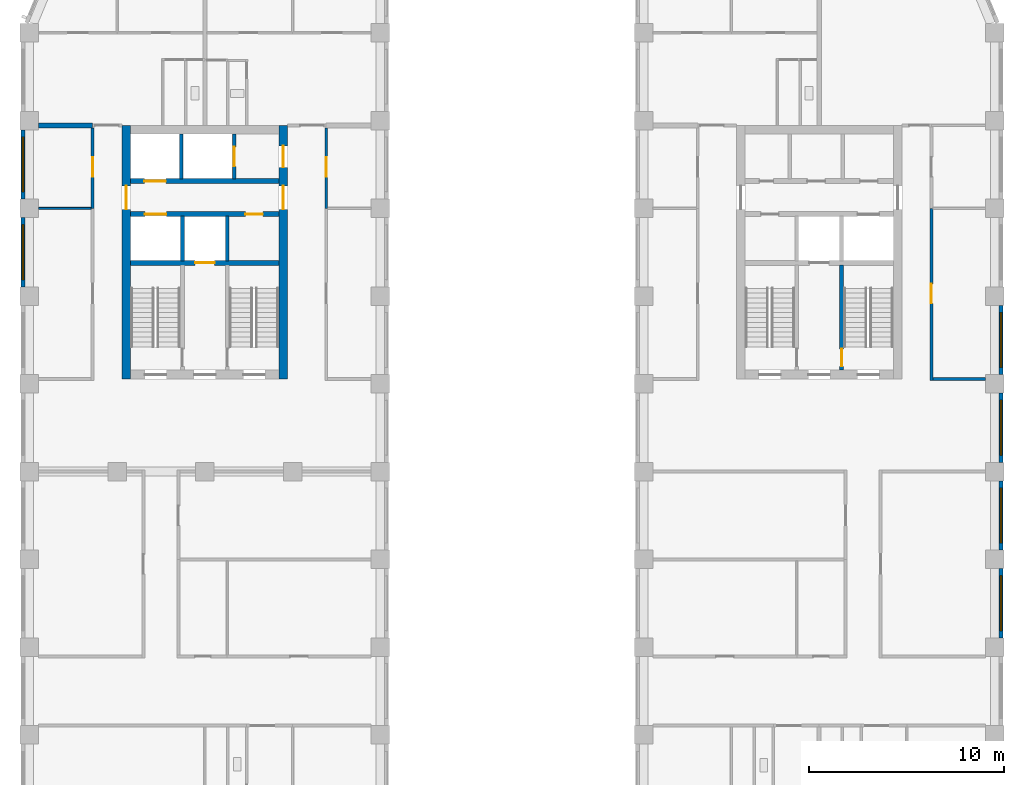
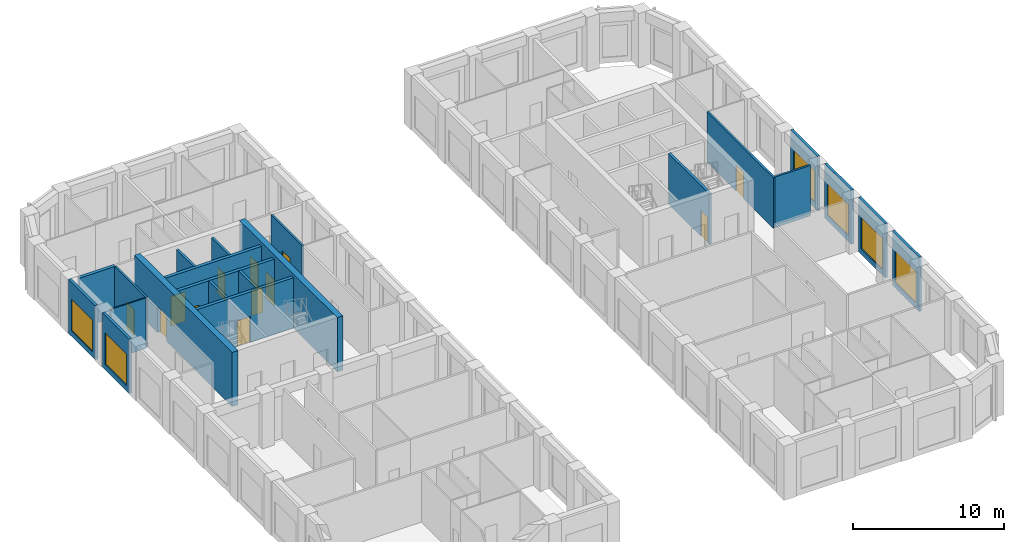
# One storey, part 6 of 13: 22 walls, 12 doors, 6 windows, 18 openings.
"""IFC4 building model written with IfcOpenShell, lengths in metres."""

from ifc_helpers import new_model, si_unit, direction, frame, frame_2d, origin, place, context, subcontext, project, spatial, rectangle, extrude, material, layer, layer_set, type_object, element, fill, save


model = new_model("IFC4")

# Units and contexts
model_context = context("Model", 3, precision=1e-05, world=origin(), true_north=direction((0.0, 1.0)))
body_context = subcontext(model_context, "Body", "Model", "MODEL_VIEW")
ifc_project = project(units=[si_unit("LENGTHUNIT", "METRE"), si_unit("AREAUNIT", "SQUARE_METRE"), si_unit("VOLUMEUNIT", "CUBIC_METRE"), si_unit("PLANEANGLEUNIT", "RADIAN"), si_unit("MASSUNIT", "GRAM", prefix="KILO")], contexts=[model_context])

# Site, building, storey
site_placement = place(None, origin())
site = spatial("IfcSite", under=ifc_project, at=site_placement, CompositionType="ELEMENT")
building_placement = place(site_placement, origin())
building = spatial("IfcBuilding", under=site, at=building_placement, Name="Girih Gate Residences", CompositionType="ELEMENT")
storey_placement = place(building_placement, frame((0.0, 0.0, 159.39990234375)))
storey = spatial("IfcBuildingStorey", under=building, at=storey_placement, Name="L44", CompositionType="ELEMENT", Elevation=159.39990234375)

# Wall
ifc_material_1 = material(Name="Gypsum board on steel studs", Category="steel")
ifc_layer_1 = layer(ifc_material_1, 0.25)
ifc_layer_set_1 = layer_set([ifc_layer_1], Name="Acoustic separating wall 250 mm")
wall_type_1 = type_object("IfcWallType", Name="Acoustic separating wall 250 mm", PredefinedType="PARTITIONING", material=ifc_layer_set_1)
wall_1_placement = place(storey_placement, frame((0.47509765625, 40.25, 0.0), z_axis=(0.0, 0.0, 1.0), x_axis=(1.0, 0.0, 0.0)))
element("IfcWall", 1, at=wall_1_placement, inside=storey, type_object=wall_type_1, Name="L44 partition", PredefinedType="PARTITIONING", context=body_context, shape_type="SweptSolid", body=[
    extrude(rectangle(XDim=2.77490234375, YDim=0.25, at=frame_2d((1.387451171875, 0.0))), origin(), (0.0, 0.0, 1.0), 4.10009765625),
])

# Wall, opening, door
ifc_layer_2 = layer(ifc_material_1, 0.14990234375)
ifc_layer_set_2 = layer_set([ifc_layer_2], Name="Compartment wall 150 mm")
wall_type_2 = type_object("IfcWallType", Name="Compartment wall 150 mm", PredefinedType="PARTITIONING", material=ifc_layer_set_2)
wall_2_placement = place(storey_placement, frame((46.25, 36.0, 0.0), z_axis=(0.0, 0.0, 1.0), x_axis=(0.0, -1.0, 0.0)))
wall_2 = element("IfcWall", 2, at=wall_2_placement, inside=storey, type_object=wall_type_2, Name="L44 partition", PredefinedType="PARTITIONING", context=body_context, shape_type="SweptSolid", body=[
    extrude(rectangle(XDim=8.824951171875, YDim=0.14990234375, at=frame_2d((4.41259765625, 0.0))), origin(), (0.0, 0.0, 1.0), 4.10009765625),
])
opening_1_placement = place(wall_2_placement, frame((3.875, 0.0, 0.0)))
opening_1 = element("IfcOpeningElement", 3, at=opening_1_placement, cuts=wall_2, Name="Opening A44-041", PredefinedType="OPENING", context=body_context, shape_type="SweptSolid", body=[
    extrude(rectangle(XDim=1.0, YDim=2.10009765625, at=frame_2d((0.5, 1.050048828125))), frame((0.0, 0.0849609375, 0.0), z_axis=(0.0, -1.0, 0.0), x_axis=(1.0, 0.0, 0.0)), (0.0, 0.0, 1.0), 0.169921875),
])
ifc_material_2 = material(Name="Timber, fire-rated core", Category="wood")
door_type_1 = type_object("IfcDoorType", Name="Amenity room door 1000x2100 FD30S", OperationType="NOTDEFINED", PredefinedType="DOOR", material=ifc_material_2)
door_1_placement = place(opening_1_placement, origin())
door_1 = element("IfcDoor", 4, at=door_1_placement, inside=storey, type_object=door_type_1, Name="Door A44-041", OperationType="SINGLE_SWING_LEFT", OverallHeight=2.10009765625, OverallWidth=1.0, PredefinedType="DOOR", context=body_context, shape_type="SweptSolid", body=[
    extrude(rectangle(XDim=1.0, YDim=2.10009765625, at=frame_2d((0.5, 1.050048828125))), frame((0.0, 0.02490234375, 0.0), z_axis=(0.0, -1.0, 0.0), x_axis=(1.0, 0.0, 0.0)), (0.0, 0.0, 1.0), 0.050048828125),
])
fill(opening_1, door_1)

# Wall
wall_3_placement = place(storey_placement, frame((46.324951171875, 27.25, 0.0), z_axis=(0.0, 0.0, 1.0), x_axis=(1.0, 0.0, 0.0)))
element("IfcWall", 5, at=wall_3_placement, inside=storey, type_object=wall_type_2, Name="L44 partition", PredefinedType="PARTITIONING", context=body_context, shape_type="SweptSolid", body=[
    extrude(rectangle(XDim=2.699951171875, YDim=0.14990234375, at=frame_2d((1.35009765625, 0.0))), origin(), (0.0, 0.0, 1.0), 4.10009765625),
])

# Wall, opening, door
wall_4_placement = place(storey_placement, frame((15.22509765625, 40.125, 0.0), z_axis=(0.0, 0.0, 1.0), x_axis=(0.0, -1.0, 0.0)))
wall_4 = element("IfcWall", 6, at=wall_4_placement, inside=storey, type_object=wall_type_2, Name="L44 partition", PredefinedType="PARTITIONING", context=body_context, shape_type="SweptSolid", body=[
    extrude(rectangle(XDim=4.125, YDim=0.14990234375, at=frame_2d((2.0625, 0.0))), origin(), (0.0, 0.0, 1.0), 4.10009765625),
])
opening_2_placement = place(wall_4_placement, frame((1.5, 0.0, 0.0)))
opening_2 = element("IfcOpeningElement", 7, at=opening_2_placement, cuts=wall_4, Name="Opening A44-044", PredefinedType="OPENING", context=body_context, shape_type="SweptSolid", body=[
    extrude(rectangle(XDim=1.0, YDim=2.10009765625, at=frame_2d((0.5, 1.050048828125))), frame((0.0, 0.0849609375, 0.0), z_axis=(0.0, -1.0, 0.0), x_axis=(1.0, 0.0, 0.0)), (0.0, 0.0, 1.0), 0.169921875),
])
door_2_placement = place(opening_2_placement, origin())
door_2 = element("IfcDoor", 8, at=door_2_placement, inside=storey, type_object=door_type_1, Name="Door A44-044", OperationType="SINGLE_SWING_LEFT", OverallHeight=2.10009765625, OverallWidth=1.0, PredefinedType="DOOR", context=body_context, shape_type="SweptSolid", body=[
    extrude(rectangle(XDim=1.0, YDim=2.10009765625, at=frame_2d((0.5, 1.050048828125))), frame((0.0, 0.02490234375, 0.0), z_axis=(0.0, -1.0, 0.0), x_axis=(1.0, 0.0, 0.0)), (0.0, 0.0, 1.0), 0.050048828125),
])
fill(opening_2, door_2)

wall_5_placement = place(storey_placement, frame((3.25, 36.0, 0.0), z_axis=(0.0, 0.0, 1.0), x_axis=(0.0, 1.0, 0.0)))
wall_5 = element("IfcWall", 9, at=wall_5_placement, inside=storey, type_object=wall_type_2, Name="L44 partition", PredefinedType="PARTITIONING", context=body_context, shape_type="SweptSolid", body=[
    extrude(rectangle(XDim=4.125, YDim=0.14990234375, at=frame_2d((2.0625, 0.0))), origin(), (0.0, 0.0, 1.0), 4.10009765625),
])
opening_3_placement = place(wall_5_placement, frame((1.625, 0.0, 0.0)))
opening_3 = element("IfcOpeningElement", 10, at=opening_3_placement, cuts=wall_5, Name="Opening A44-046", PredefinedType="OPENING", context=body_context, shape_type="SweptSolid", body=[
    extrude(rectangle(XDim=1.0, YDim=2.10009765625, at=frame_2d((0.5, 1.050048828125))), frame((0.0, 0.0849609375, 0.0), z_axis=(0.0, -1.0, 0.0), x_axis=(1.0, 0.0, 0.0)), (0.0, 0.0, 1.0), 0.169921875),
])
door_3_placement = place(opening_3_placement, origin())
door_3 = element("IfcDoor", 11, at=door_3_placement, inside=storey, type_object=door_type_1, Name="Door A44-046", OperationType="SINGLE_SWING_RIGHT", OverallHeight=2.10009765625, OverallWidth=1.0, PredefinedType="DOOR", context=body_context, shape_type="SweptSolid", body=[
    extrude(rectangle(XDim=1.0, YDim=2.10009765625, at=frame_2d((0.5, 1.050048828125))), frame((0.0, 0.02490234375, 0.0), z_axis=(0.0, -1.0, 0.0), x_axis=(1.0, 0.0, 0.0)), (0.0, 0.0, 1.0), 0.050048828125),
])
fill(opening_3, door_3)

ifc_material_3 = material(Name="Concrete C60/75", Category="concrete")
ifc_layer_3 = layer(ifc_material_3, 0.449951171875)
ifc_layer_set_3 = layer_set([ifc_layer_3], Name="Core wall RC 450 Concrete C60/75")
wall_type_3 = type_object("IfcWallType", Name="Core wall RC 450 Concrete C60/75", PredefinedType="SOLIDWALL", material=ifc_layer_set_3)
wall_6_placement = place(storey_placement, frame((4.97509765625, 27.25, 0.0), z_axis=(0.0, 0.0, 1.0), x_axis=(0.0, 1.0, 0.0)))
wall_6 = element("IfcWall", 12, at=wall_6_placement, inside=storey, type_object=wall_type_3, Name="Core wall W-W L44", PredefinedType="SOLIDWALL", context=body_context, shape_type="SweptSolid", body=[
    extrude(rectangle(XDim=13.0, YDim=0.449951171875, at=frame_2d((6.5, 0.0))), origin(), (0.0, 0.0, 1.0), 4.400146484375),
])
opening_4_placement = place(wall_6_placement, frame((8.699951171875, 0.0, 0.0)))
opening_4 = element("IfcOpeningElement", 13, at=opening_4_placement, cuts=wall_6, Name="Opening D-L44-W-012", PredefinedType="OPENING", context=body_context, shape_type="SweptSolid", body=[
    extrude(rectangle(XDim=1.199951171875, YDim=2.10009765625, at=frame_2d((0.60009765625, 1.050048828125))), frame((0.0, 0.23486328125, 0.0), z_axis=(0.0, -1.0, 0.0), x_axis=(1.0, 0.0, 0.0)), (0.0, 0.0, 1.0), 0.469970703125),
])
ifc_material_4 = material(Name="Painted steel, fire-resisting", Category="steel")
door_type_2 = type_object("IfcDoorType", Name="Fire door 1200x2100", OperationType="SINGLE_SWING_LEFT", PredefinedType="DOOR", material=ifc_material_4)
door_4_placement = place(opening_4_placement, origin())
door_4 = element("IfcDoor", 14, at=door_4_placement, inside=storey, type_object=door_type_2, Name="L44 W core door ll-w", OperationType="SINGLE_SWING_LEFT", OverallHeight=2.10009765625, OverallWidth=1.199951171875, PredefinedType="DOOR", context=body_context, shape_type="SweptSolid", body=[
    extrude(rectangle(XDim=1.199951171875, YDim=2.10009765625, at=frame_2d((0.60009765625, 1.050048828125))), frame((0.0, 0.02490234375, 0.0), z_axis=(0.0, -1.0, 0.0), x_axis=(1.0, 0.0, 0.0)), (0.0, 0.0, 1.0), 0.050048828125),
])
fill(opening_4, door_4)

# Wall, openings, doors
wall_7_placement = place(storey_placement, frame((13.02490234375, 27.25, 0.0), z_axis=(0.0, 0.0, 1.0), x_axis=(0.0, 1.0, 0.0)))
wall_7 = element("IfcWall", 15, at=wall_7_placement, inside=storey, type_object=wall_type_3, Name="Core wall W-E L44", PredefinedType="SOLIDWALL", context=body_context, shape_type="SweptSolid", body=[
    extrude(rectangle(XDim=13.0, YDim=0.449951171875, at=frame_2d((6.5, 0.0))), origin(), (0.0, 0.0, 1.0), 4.400146484375),
])
opening_5_placement = place(wall_7_placement, frame((10.85009765625, 0.0, 0.0)))
opening_5 = element("IfcOpeningElement", 16, at=opening_5_placement, cuts=wall_7, Name="Opening D-L44-W-011", PredefinedType="OPENING", context=body_context, shape_type="SweptSolid", body=[
    extrude(rectangle(XDim=1.10009765625, YDim=2.10009765625, at=frame_2d((0.550048828125, 1.050048828125))), frame((0.0, 0.23486328125, 0.0), z_axis=(0.0, -1.0, 0.0), x_axis=(1.0, 0.0, 0.0)), (0.0, 0.0, 1.0), 0.469970703125),
])
opening_6_placement = place(wall_7_placement, frame((8.699951171875, 0.0, 0.0)))
opening_6 = element("IfcOpeningElement", 17, at=opening_6_placement, cuts=wall_7, Name="Opening D-L44-W-013", PredefinedType="OPENING", context=body_context, shape_type="SweptSolid", body=[
    extrude(rectangle(XDim=1.199951171875, YDim=2.10009765625, at=frame_2d((0.60009765625, 1.050048828125))), frame((0.0, 0.23486328125, 0.0), z_axis=(0.0, -1.0, 0.0), x_axis=(1.0, 0.0, 0.0)), (0.0, 0.0, 1.0), 0.469970703125),
])
door_type_3 = type_object("IfcDoorType", Name="Fire door 1100x2100", OperationType="SINGLE_SWING_LEFT", PredefinedType="DOOR", material=ifc_material_4)
door_5_placement = place(opening_5_placement, origin())
door_5 = element("IfcDoor", 18, at=door_5_placement, inside=storey, type_object=door_type_3, Name="L44 W core door ffl2-e", OperationType="SINGLE_SWING_LEFT", OverallHeight=2.10009765625, OverallWidth=1.10009765625, PredefinedType="DOOR", context=body_context, shape_type="SweptSolid", body=[
    extrude(rectangle(XDim=1.10009765625, YDim=2.10009765625, at=frame_2d((0.550048828125, 1.050048828125))), frame((0.0, 0.02490234375, 0.0), z_axis=(0.0, -1.0, 0.0), x_axis=(1.0, 0.0, 0.0)), (0.0, 0.0, 1.0), 0.050048828125),
])
fill(opening_5, door_5)
door_6_placement = place(opening_6_placement, origin())
door_6 = element("IfcDoor", 19, at=door_6_placement, inside=storey, type_object=door_type_2, Name="L44 W core door ll-e", OperationType="SINGLE_SWING_LEFT", OverallHeight=2.10009765625, OverallWidth=1.199951171875, PredefinedType="DOOR", context=body_context, shape_type="SweptSolid", body=[
    extrude(rectangle(XDim=1.199951171875, YDim=2.10009765625, at=frame_2d((0.60009765625, 1.050048828125))), frame((0.0, 0.02490234375, 0.0), z_axis=(0.0, -1.0, 0.0), x_axis=(1.0, 0.0, 0.0)), (0.0, 0.0, 1.0), 0.050048828125),
])
fill(opening_6, door_6)

# Wall, opening, door
ifc_material_5 = material(Name="Concrete C40/50", Category="concrete")
ifc_layer_4 = layer(ifc_material_5, 0.25)
ifc_layer_set_4 = layer_set([ifc_layer_4], Name="Lift shaft wall 250")
wall_type_4 = type_object("IfcWallType", Name="Lift shaft wall 250", PredefinedType="SOLIDWALL", material=ifc_layer_set_4)
wall_8_placement = place(storey_placement, frame((5.199951171875, 33.199951171875, 0.0), z_axis=(0.0, 0.0, 1.0), x_axis=(1.0, 0.0, 0.0)))
wall_8 = element("IfcWall", 20, at=wall_8_placement, inside=storey, type_object=wall_type_4, Name="L44 W core wall H1", PredefinedType="SOLIDWALL", context=body_context, shape_type="SweptSolid", body=[
    extrude(rectangle(XDim=7.60009765625, YDim=0.25, at=frame_2d((3.800048828125, 0.0))), origin(), (0.0, 0.0, 1.0), 4.10009765625),
])
opening_7_placement = place(wall_8_placement, frame((3.300048828125, 0.0, 0.0)))
opening_7 = element("IfcOpeningElement", 21, at=opening_7_placement, cuts=wall_8, Name="Opening D-L44-W-006", PredefinedType="OPENING", context=body_context, shape_type="SweptSolid", body=[
    extrude(rectangle(XDim=1.0, YDim=2.10009765625, at=frame_2d((0.5, 1.050048828125))), frame((0.0, 0.135009765625, 0.0), z_axis=(0.0, -1.0, 0.0), x_axis=(1.0, 0.0, 0.0)), (0.0, 0.0, 1.0), 0.27001953125),
])
ifc_material_6 = material(Name="Stainless steel, fire-resisting", Category="steel")
door_type_4 = type_object("IfcDoorType", Name="Firefighting lift landing door 1000x2100", OperationType="SLIDING_TO_LEFT", PredefinedType="DOOR", material=ifc_material_6)
door_7_placement = place(opening_7_placement, origin())
door_7 = element("IfcDoor", 22, at=door_7_placement, inside=storey, type_object=door_type_4, Name="L44 lift FF-W landing door", OperationType="SLIDING_TO_LEFT", OverallHeight=2.10009765625, OverallWidth=1.0, PredefinedType="DOOR", context=body_context, shape_type="SweptSolid", body=[
    extrude(rectangle(XDim=1.0, YDim=2.10009765625, at=frame_2d((0.5, 1.050048828125))), frame((0.0, 0.02490234375, 0.0), z_axis=(0.0, -1.0, 0.0), x_axis=(1.0, 0.0, 0.0)), (0.0, 0.0, 1.0), 0.050048828125),
])
fill(opening_7, door_7)

# Wall, openings, doors
wall_9_placement = place(storey_placement, frame((5.199951171875, 35.699951171875, 0.0), z_axis=(0.0, 0.0, 1.0), x_axis=(1.0, 0.0, 0.0)))
wall_9 = element("IfcWall", 23, at=wall_9_placement, inside=storey, type_object=wall_type_4, Name="L44 W core wall H2", PredefinedType="SOLIDWALL", context=body_context, shape_type="SweptSolid", body=[
    extrude(rectangle(XDim=7.60009765625, YDim=0.25, at=frame_2d((3.800048828125, 0.0))), origin(), (0.0, 0.0, 1.0), 4.10009765625),
])
opening_8_placement = place(wall_9_placement, frame((0.72509765625, 0.0, 0.0)))
opening_8 = element("IfcOpeningElement", 24, at=opening_8_placement, cuts=wall_9, Name="Opening D-L44-W-005", PredefinedType="OPENING", context=body_context, shape_type="SweptSolid", body=[
    extrude(rectangle(XDim=1.10009765625, YDim=2.39990234375, at=frame_2d((0.550048828125, 1.199951171875))), frame((0.0, 0.135009765625, 0.0), z_axis=(0.0, -1.0, 0.0), x_axis=(1.0, 0.0, 0.0)), (0.0, 0.0, 1.0), 0.27001953125),
])
opening_9_placement = place(wall_9_placement, frame((5.875, 0.0, 0.0)))
opening_9 = element("IfcOpeningElement", 25, at=opening_9_placement, cuts=wall_9, Name="Opening D-L44-W-007", PredefinedType="OPENING", context=body_context, shape_type="SweptSolid", body=[
    extrude(rectangle(XDim=0.89990234375, YDim=2.10009765625, at=frame_2d((0.449951171875, 1.050048828125))), frame((0.0, 0.135009765625, 0.0), z_axis=(0.0, -1.0, 0.0), x_axis=(1.0, 0.0, 0.0)), (0.0, 0.0, 1.0), 0.27001953125),
])
door_type_5 = type_object("IfcDoorType", Name="Fire door 900x2100", OperationType="SINGLE_SWING_LEFT", PredefinedType="DOOR", material=ifc_material_4)
door_8_placement = place(opening_9_placement, origin())
door_8 = element("IfcDoor", 26, at=door_8_placement, inside=storey, type_object=door_type_5, Name="L44 W store door", OperationType="SINGLE_SWING_LEFT", OverallHeight=2.10009765625, OverallWidth=0.89990234375, PredefinedType="DOOR", context=body_context, shape_type="SweptSolid", body=[
    extrude(rectangle(XDim=0.89990234375, YDim=2.10009765625, at=frame_2d((0.449951171875, 1.050048828125))), frame((0.0, 0.02490234375, 0.0), z_axis=(0.0, -1.0, 0.0), x_axis=(1.0, 0.0, 0.0)), (0.0, 0.0, 1.0), 0.050048828125),
])
fill(opening_9, door_8)
ifc_material_7 = material(Name="Stainless steel", Category="steel")
door_type_6 = type_object("IfcDoorType", Name="Lift landing door 1100x2400", OperationType="SLIDING_TO_LEFT", PredefinedType="DOOR", material=ifc_material_7)
door_9_placement = place(opening_8_placement, origin())
door_9 = element("IfcDoor", 27, at=door_9_placement, inside=storey, type_object=door_type_6, Name="L44 lift HR-W1 landing door", OperationType="SLIDING_TO_LEFT", OverallHeight=2.39990234375, OverallWidth=1.10009765625, PredefinedType="DOOR", context=body_context, shape_type="SweptSolid", body=[
    extrude(rectangle(XDim=1.10009765625, YDim=2.39990234375, at=frame_2d((0.550048828125, 1.199951171875))), frame((0.0, 0.02490234375, 0.0), z_axis=(0.0, -1.0, 0.0), x_axis=(1.0, 0.0, 0.0)), (0.0, 0.0, 1.0), 0.050048828125),
])
fill(opening_8, door_9)

# Wall, opening, door
wall_10_placement = place(storey_placement, frame((5.199951171875, 37.39990234375, 0.0), z_axis=(0.0, 0.0, 1.0), x_axis=(1.0, 0.0, 0.0)))
wall_10 = element("IfcWall", 28, at=wall_10_placement, inside=storey, type_object=wall_type_4, Name="L44 W core wall H3", PredefinedType="SOLIDWALL", context=body_context, shape_type="SweptSolid", body=[
    extrude(rectangle(XDim=7.60009765625, YDim=0.25, at=frame_2d((3.800048828125, 0.0))), origin(), (0.0, 0.0, 1.0), 4.10009765625),
])
opening_10_placement = place(wall_10_placement, frame((0.699951171875, 0.0, 0.0)))
opening_10 = element("IfcOpeningElement", 29, at=opening_10_placement, cuts=wall_10, Name="Opening D-L44-W-003", PredefinedType="OPENING", context=body_context, shape_type="SweptSolid", body=[
    extrude(rectangle(XDim=1.10009765625, YDim=2.39990234375, at=frame_2d((0.550048828125, 1.199951171875))), frame((0.0, 0.135009765625, 0.0), z_axis=(0.0, -1.0, 0.0), x_axis=(1.0, 0.0, 0.0)), (0.0, 0.0, 1.0), 0.27001953125),
])
door_10_placement = place(opening_10_placement, origin())
door_10 = element("IfcDoor", 30, at=door_10_placement, inside=storey, type_object=door_type_6, Name="L44 lift LR-W1 landing door", OperationType="SLIDING_TO_LEFT", OverallHeight=2.39990234375, OverallWidth=1.10009765625, PredefinedType="DOOR", context=body_context, shape_type="SweptSolid", body=[
    extrude(rectangle(XDim=1.10009765625, YDim=2.39990234375, at=frame_2d((0.550048828125, 1.199951171875))), frame((0.0, 0.02490234375, 0.0), z_axis=(0.0, -1.0, 0.0), x_axis=(1.0, 0.0, 0.0)), (0.0, 0.0, 1.0), 0.050048828125),
])
fill(opening_10, door_10)

# Wall
ifc_layer_5 = layer(ifc_material_1, 0.10009765625)
ifc_layer_set_5 = layer_set([ifc_layer_5], Name="Partition 100 mm")
wall_type_5 = type_object("IfcWallType", Name="Partition 100 mm", PredefinedType="PARTITIONING", material=ifc_layer_set_5)
wall_11_placement = place(storey_placement, frame((0.47509765625, 36.0, 0.0), z_axis=(0.0, 0.0, 1.0), x_axis=(1.0, 0.0, 0.0)))
element("IfcWall", 31, at=wall_11_placement, inside=storey, type_object=wall_type_5, Name="L44 partition", PredefinedType="PARTITIONING", context=body_context, shape_type="SweptSolid", body=[
    extrude(rectangle(XDim=2.699951171875, YDim=0.10009765625, at=frame_2d((1.35009765625, 0.0))), origin(), (0.0, 0.0, 1.0), 4.10009765625),
])

# Wall, opening, window
ifc_material_8 = material(Name="Precast concrete C50/60", Category="concrete")
ifc_layer_6 = layer(ifc_material_8, 0.06005859375, Name="Outer leaf")
ifc_material_9 = material(Name="Rigid PIR insulation")
ifc_layer_7 = layer(ifc_material_9, 0.090087890625, Name="Insulation")
ifc_material_10 = material(Name="Precast concrete C40/50", Category="concrete")
ifc_layer_8 = layer(ifc_material_10, 0.050048828125, Name="Inner leaf")
ifc_layer_set_6 = layer_set([ifc_layer_6, ifc_layer_7, ifc_layer_8], Name="Precast concrete C50/60 external wall 200")
wall_type_6 = type_object("IfcWallType", Name="Precast concrete C50/60 external wall 200", PredefinedType="SOLIDWALL", material=ifc_layer_set_6)
wall_12_placement = place(storey_placement, frame((-0.324951171875, 36.47509765625, 0.0), z_axis=(0.0, 0.0, 1.0), x_axis=(0.0, 1.0, 0.0)))
wall_12 = element("IfcWall", 32, at=wall_12_placement, inside=storey, type_object=wall_type_6, Name="External wall W0000_0450.1", PredefinedType="SOLIDWALL", context=body_context, shape_type="SweptSolid", body=[
    extrude(rectangle(XDim=3.5498046875, YDim=0.199951171875, at=frame_2d((1.77490234375, 0.0))), origin(), (0.0, 0.0, 1.0), 4.400146484375),
])
opening_11_placement = place(wall_12_placement, frame((0.375, 0.0, 0.449951171875)))
opening_11 = element("IfcOpeningElement", 33, at=opening_11_placement, cuts=wall_12, Name="Opening W-6A", PredefinedType="OPENING", context=body_context, shape_type="SweptSolid", body=[
    extrude(rectangle(XDim=2.800048828125, YDim=2.550048828125, at=frame_2d((1.39990234375, 1.27490234375))), frame((0.0, 0.10986328125, 0.0), z_axis=(0.0, -1.0, 0.0), x_axis=(1.0, 0.0, 0.0)), (0.0, 0.0, 1.0), 0.219970703125),
])
ifc_material_11 = material(Name="Double glazing in aluminium frame", Category="aluminium")
window_type = type_object("IfcWindowType", Name="Window W-6A 2800x2550", PartitioningType="SINGLE_PANEL", PredefinedType="WINDOW", material=ifc_material_11)
window_1_placement = place(opening_11_placement, origin())
window_1 = element("IfcWindow", 34, at=window_1_placement, inside=storey, type_object=window_type, Name="Window W-6A W0000_0450.1", OverallHeight=2.550048828125, OverallWidth=2.800048828125, PartitioningType="SINGLE_PANEL", PredefinedType="WINDOW", context=body_context, shape_type="SweptSolid", body=[
    extrude(rectangle(XDim=2.800048828125, YDim=2.550048828125, at=frame_2d((1.39990234375, 1.27490234375))), frame((0.0, 0.030029296875, 0.0), z_axis=(0.0, -1.0, 0.0), x_axis=(1.0, 0.0, 0.0)), (0.0, 0.0, 1.0), 0.06005859375),
])
fill(opening_11, window_1)

wall_13_placement = place(storey_placement, frame((-0.324951171875, 31.97509765625, 0.0), z_axis=(0.0, 0.0, 1.0), x_axis=(0.0, 1.0, 0.0)))
wall_13 = element("IfcWall", 35, at=wall_13_placement, inside=storey, type_object=wall_type_6, Name="External wall W0000_0450.2", PredefinedType="SOLIDWALL", context=body_context, shape_type="SweptSolid", body=[
    extrude(rectangle(XDim=3.5498046875, YDim=0.199951171875, at=frame_2d((1.77490234375, 0.0))), origin(), (0.0, 0.0, 1.0), 4.400146484375),
])
opening_12_placement = place(wall_13_placement, frame((0.375, 0.0, 0.449951171875)))
opening_12 = element("IfcOpeningElement", 36, at=opening_12_placement, cuts=wall_13, Name="Opening W-6A", PredefinedType="OPENING", context=body_context, shape_type="SweptSolid", body=[
    extrude(rectangle(XDim=2.800048828125, YDim=2.550048828125, at=frame_2d((1.39990234375, 1.27490234375))), frame((0.0, 0.10986328125, 0.0), z_axis=(0.0, -1.0, 0.0), x_axis=(1.0, 0.0, 0.0)), (0.0, 0.0, 1.0), 0.219970703125),
])
window_2_placement = place(opening_12_placement, origin())
window_2 = element("IfcWindow", 37, at=window_2_placement, inside=storey, type_object=window_type, Name="Window W-6A W0000_0450.2", OverallHeight=2.550048828125, OverallWidth=2.800048828125, PartitioningType="SINGLE_PANEL", PredefinedType="WINDOW", context=body_context, shape_type="SweptSolid", body=[
    extrude(rectangle(XDim=2.800048828125, YDim=2.550048828125, at=frame_2d((1.39990234375, 1.27490234375))), frame((0.0, 0.030029296875, 0.0), z_axis=(0.0, -1.0, 0.0), x_axis=(1.0, 0.0, 0.0)), (0.0, 0.0, 1.0), 0.06005859375),
])
fill(opening_12, window_2)

wall_14_placement = place(storey_placement, frame((49.824951171875, 17.52490234375, 0.0), z_axis=(0.0, 0.0, 1.0), x_axis=(0.0, -1.0, 0.0)))
wall_14 = element("IfcWall", 38, at=wall_14_placement, inside=storey, type_object=wall_type_6, Name="External wall E0495_0045.2", PredefinedType="SOLIDWALL", context=body_context, shape_type="SweptSolid", body=[
    extrude(rectangle(XDim=3.5498046875, YDim=0.199951171875, at=frame_2d((1.77490234375, 0.0))), origin(), (0.0, 0.0, 1.0), 4.400146484375),
])
opening_13_placement = place(wall_14_placement, frame((0.375, 0.0, 0.449951171875)))
opening_13 = element("IfcOpeningElement", 39, at=opening_13_placement, cuts=wall_14, Name="Opening W-6A", PredefinedType="OPENING", context=body_context, shape_type="SweptSolid", body=[
    extrude(rectangle(XDim=2.800048828125, YDim=2.550048828125, at=frame_2d((1.39990234375, 1.27490234375))), frame((0.0, 0.10986328125, 0.0), z_axis=(0.0, -1.0, 0.0), x_axis=(1.0, 0.0, 0.0)), (0.0, 0.0, 1.0), 0.219970703125),
])
window_3_placement = place(opening_13_placement, origin())
window_3 = element("IfcWindow", 40, at=window_3_placement, inside=storey, type_object=window_type, Name="Window W-6A E0495_0045.2", OverallHeight=2.550048828125, OverallWidth=2.800048828125, PartitioningType="SINGLE_PANEL", PredefinedType="WINDOW", context=body_context, shape_type="SweptSolid", body=[
    extrude(rectangle(XDim=2.800048828125, YDim=2.550048828125, at=frame_2d((1.39990234375, 1.27490234375))), frame((0.0, 0.030029296875, 0.0), z_axis=(0.0, -1.0, 0.0), x_axis=(1.0, 0.0, 0.0)), (0.0, 0.0, 1.0), 0.06005859375),
])
fill(opening_13, window_3)

wall_15_placement = place(storey_placement, frame((49.824951171875, 22.02490234375, 0.0), z_axis=(0.0, 0.0, 1.0), x_axis=(0.0, -1.0, 0.0)))
wall_15 = element("IfcWall", 41, at=wall_15_placement, inside=storey, type_object=wall_type_6, Name="External wall E0495_0045.3", PredefinedType="SOLIDWALL", context=body_context, shape_type="SweptSolid", body=[
    extrude(rectangle(XDim=3.5498046875, YDim=0.199951171875, at=frame_2d((1.77490234375, 0.0))), origin(), (0.0, 0.0, 1.0), 4.400146484375),
])
opening_14_placement = place(wall_15_placement, frame((0.375, 0.0, 0.449951171875)))
opening_14 = element("IfcOpeningElement", 42, at=opening_14_placement, cuts=wall_15, Name="Opening W-6A", PredefinedType="OPENING", context=body_context, shape_type="SweptSolid", body=[
    extrude(rectangle(XDim=2.800048828125, YDim=2.550048828125, at=frame_2d((1.39990234375, 1.27490234375))), frame((0.0, 0.10986328125, 0.0), z_axis=(0.0, -1.0, 0.0), x_axis=(1.0, 0.0, 0.0)), (0.0, 0.0, 1.0), 0.219970703125),
])
window_4_placement = place(opening_14_placement, origin())
window_4 = element("IfcWindow", 43, at=window_4_placement, inside=storey, type_object=window_type, Name="Window W-6A E0495_0045.3", OverallHeight=2.550048828125, OverallWidth=2.800048828125, PartitioningType="SINGLE_PANEL", PredefinedType="WINDOW", context=body_context, shape_type="SweptSolid", body=[
    extrude(rectangle(XDim=2.800048828125, YDim=2.550048828125, at=frame_2d((1.39990234375, 1.27490234375))), frame((0.0, 0.030029296875, 0.0), z_axis=(0.0, -1.0, 0.0), x_axis=(1.0, 0.0, 0.0)), (0.0, 0.0, 1.0), 0.06005859375),
])
fill(opening_14, window_4)

wall_16_placement = place(storey_placement, frame((49.824951171875, 26.52490234375, 0.0), z_axis=(0.0, 0.0, 1.0), x_axis=(0.0, -1.0, 0.0)))
wall_16 = element("IfcWall", 44, at=wall_16_placement, inside=storey, type_object=wall_type_6, Name="External wall E0495_0045.4", PredefinedType="SOLIDWALL", context=body_context, shape_type="SweptSolid", body=[
    extrude(rectangle(XDim=3.5498046875, YDim=0.199951171875, at=frame_2d((1.77490234375, 0.0))), origin(), (0.0, 0.0, 1.0), 4.400146484375),
])
opening_15_placement = place(wall_16_placement, frame((0.375, 0.0, 0.449951171875)))
opening_15 = element("IfcOpeningElement", 45, at=opening_15_placement, cuts=wall_16, Name="Opening W-6A", PredefinedType="OPENING", context=body_context, shape_type="SweptSolid", body=[
    extrude(rectangle(XDim=2.800048828125, YDim=2.550048828125, at=frame_2d((1.39990234375, 1.27490234375))), frame((0.0, 0.10986328125, 0.0), z_axis=(0.0, -1.0, 0.0), x_axis=(1.0, 0.0, 0.0)), (0.0, 0.0, 1.0), 0.219970703125),
])
window_5_placement = place(opening_15_placement, origin())
window_5 = element("IfcWindow", 46, at=window_5_placement, inside=storey, type_object=window_type, Name="Window W-6A E0495_0045.4", OverallHeight=2.550048828125, OverallWidth=2.800048828125, PartitioningType="SINGLE_PANEL", PredefinedType="WINDOW", context=body_context, shape_type="SweptSolid", body=[
    extrude(rectangle(XDim=2.800048828125, YDim=2.550048828125, at=frame_2d((1.39990234375, 1.27490234375))), frame((0.0, 0.030029296875, 0.0), z_axis=(0.0, -1.0, 0.0), x_axis=(1.0, 0.0, 0.0)), (0.0, 0.0, 1.0), 0.06005859375),
])
fill(opening_15, window_5)

wall_17_placement = place(storey_placement, frame((49.824951171875, 31.02490234375, 0.0), z_axis=(0.0, 0.0, 1.0), x_axis=(0.0, -1.0, 0.0)))
wall_17 = element("IfcWall", 47, at=wall_17_placement, inside=storey, type_object=wall_type_6, Name="External wall E0495_0045.5", PredefinedType="SOLIDWALL", context=body_context, shape_type="SweptSolid", body=[
    extrude(rectangle(XDim=3.5498046875, YDim=0.199951171875, at=frame_2d((1.77490234375, 0.0))), origin(), (0.0, 0.0, 1.0), 4.400146484375),
])
opening_16_placement = place(wall_17_placement, frame((0.375, 0.0, 0.449951171875)))
opening_16 = element("IfcOpeningElement", 48, at=opening_16_placement, cuts=wall_17, Name="Opening W-6A", PredefinedType="OPENING", context=body_context, shape_type="SweptSolid", body=[
    extrude(rectangle(XDim=2.800048828125, YDim=2.550048828125, at=frame_2d((1.39990234375, 1.27490234375))), frame((0.0, 0.10986328125, 0.0), z_axis=(0.0, -1.0, 0.0), x_axis=(1.0, 0.0, 0.0)), (0.0, 0.0, 1.0), 0.219970703125),
])
window_6_placement = place(opening_16_placement, origin())
window_6 = element("IfcWindow", 49, at=window_6_placement, inside=storey, type_object=window_type, Name="Window W-6A E0495_0045.5", OverallHeight=2.550048828125, OverallWidth=2.800048828125, PartitioningType="SINGLE_PANEL", PredefinedType="WINDOW", context=body_context, shape_type="SweptSolid", body=[
    extrude(rectangle(XDim=2.800048828125, YDim=2.550048828125, at=frame_2d((1.39990234375, 1.27490234375))), frame((0.0, 0.030029296875, 0.0), z_axis=(0.0, -1.0, 0.0), x_axis=(1.0, 0.0, 0.0)), (0.0, 0.0, 1.0), 0.06005859375),
])
fill(opening_16, window_6)

# Wall
ifc_layer_9 = layer(ifc_material_5, 0.175048828125)
ifc_layer_set_7 = layer_set([ifc_layer_9], Name="Riser shaft wall 175")
wall_type_7 = type_object("IfcWallType", Name="Riser shaft wall 175", PredefinedType="SOLIDWALL", material=ifc_layer_set_7)
wall_18_placement = place(storey_placement, frame((7.800048828125, 37.5, 0.0), z_axis=(0.0, 0.0, 1.0), x_axis=(0.0, 1.0, 0.0)))
element("IfcWall", 50, at=wall_18_placement, inside=storey, type_object=wall_type_7, Name="L44 W core wall V1c", PredefinedType="SOLIDWALL", context=body_context, shape_type="SweptSolid", body=[
    extrude(rectangle(XDim=2.300048828125, YDim=0.175048828125, at=frame_2d((1.14990234375, 0.0))), origin(), (0.0, 0.0, 1.0), 4.10009765625),
])

# Wall, opening, door
wall_19_placement = place(storey_placement, frame((10.5, 37.5, 0.0), z_axis=(0.0, 0.0, 1.0), x_axis=(0.0, 1.0, 0.0)))
wall_19 = element("IfcWall", 51, at=wall_19_placement, inside=storey, type_object=wall_type_7, Name="L44 W core wall V2c", PredefinedType="SOLIDWALL", context=body_context, shape_type="SweptSolid", body=[
    extrude(rectangle(XDim=2.300048828125, YDim=0.175048828125, at=frame_2d((1.14990234375, 0.0))), origin(), (0.0, 0.0, 1.0), 4.10009765625),
])
opening_17_placement = place(wall_19_placement, frame((0.64990234375, 0.0, 0.0)))
opening_17 = element("IfcOpeningElement", 52, at=opening_17_placement, cuts=wall_19, Name="Opening D-L44-W-004", PredefinedType="OPENING", context=body_context, shape_type="SweptSolid", body=[
    extrude(rectangle(XDim=1.0, YDim=2.10009765625, at=frame_2d((0.5, 1.050048828125))), frame((0.0, 0.097412109375, 0.0), z_axis=(0.0, -1.0, 0.0), x_axis=(1.0, 0.0, 0.0)), (0.0, 0.0, 1.0), 0.195068359375),
])
door_11_placement = place(opening_17_placement, origin())
door_11 = element("IfcDoor", 53, at=door_11_placement, inside=storey, type_object=door_type_4, Name="L44 lift FF-W2 landing door", OperationType="SLIDING_TO_LEFT", OverallHeight=2.10009765625, OverallWidth=1.0, PredefinedType="DOOR", context=body_context, shape_type="SweptSolid", body=[
    extrude(rectangle(XDim=1.0, YDim=2.10009765625, at=frame_2d((0.5, 1.050048828125))), frame((0.0, 0.02490234375, 0.0), z_axis=(0.0, -1.0, 0.0), x_axis=(1.0, 0.0, 0.0)), (0.0, 0.0, 1.0), 0.050048828125),
])
fill(opening_17, door_11)

# Walls
ifc_layer_10 = layer(ifc_material_5, 0.199951171875)
ifc_layer_set_8 = layer_set([ifc_layer_10], Name="Shaft wall 200")
wall_type_8 = type_object("IfcWallType", Name="Shaft wall 200", PredefinedType="SOLIDWALL", material=ifc_layer_set_8)
for number, where, z_axis, x_axis, name in (
    (54, (7.85009765625, 33.300048828125, 0.0), (0.0, 0.0, 1.0), (0.0, 1.0, 0.0), "L44 W core wall V1b"),
    (55, (10.14990234375, 33.300048828125, 0.0), (0.0, 0.0, 1.0), (0.0, 1.0, 0.0), "L44 W core wall V2b"),
):
    element("IfcWall", number, at=place(storey_placement, frame(where, z_axis=z_axis, x_axis=x_axis)), inside=storey, type_object=wall_type_8, Name=name, PredefinedType="SOLIDWALL", context=body_context, shape_type="SweptSolid", body=[
        extrude(rectangle(XDim=2.300048828125, YDim=0.199951171875, at=frame_2d((1.14990234375, 0.0))), origin(), (0.0, 0.0, 1.0), 4.10009765625),
    ])

# Wall, opening, door
wall_20_placement = place(storey_placement, frame((41.64990234375, 27.699951171875, 0.0), z_axis=(0.0, 0.0, 1.0), x_axis=(0.0, 1.0, 0.0)))
wall_20 = element("IfcWall", 56, at=wall_20_placement, inside=storey, type_object=wall_type_8, Name="L44 E core wall V1a", PredefinedType="SOLIDWALL", context=body_context, shape_type="SweptSolid", body=[
    extrude(rectangle(XDim=5.400146484375, YDim=0.199951171875, at=frame_2d((2.7001953125, 0.0))), origin(), (0.0, 0.0, 1.0), 4.10009765625),
])
opening_18_placement = place(wall_20_placement, frame((0.199951171875, 0.0, 0.0)))
opening_18 = element("IfcOpeningElement", 57, at=opening_18_placement, cuts=wall_20, Name="Opening D-L44-E-001", PredefinedType="OPENING", context=body_context, shape_type="SweptSolid", body=[
    extrude(rectangle(XDim=0.89990234375, YDim=2.10009765625, at=frame_2d((0.449951171875, 1.050048828125))), frame((0.0, 0.10986328125, 0.0), z_axis=(0.0, -1.0, 0.0), x_axis=(1.0, 0.0, 0.0)), (0.0, 0.0, 1.0), 0.219970703125),
])
door_12_placement = place(opening_18_placement, origin())
door_12 = element("IfcDoor", 58, at=door_12_placement, inside=storey, type_object=door_type_5, Name="L44 E door stair 1 to firefighting lobby", OperationType="SINGLE_SWING_LEFT", OverallHeight=2.10009765625, OverallWidth=0.89990234375, PredefinedType="DOOR", context=body_context, shape_type="SweptSolid", body=[
    extrude(rectangle(XDim=0.89990234375, YDim=2.10009765625, at=frame_2d((0.449951171875, 1.050048828125))), frame((0.0, 0.02490234375, 0.0), z_axis=(0.0, -1.0, 0.0), x_axis=(1.0, 0.0, 0.0)), (0.0, 0.0, 1.0), 0.050048828125),
])
fill(opening_18, door_12)

save(model, "model.ifc")
